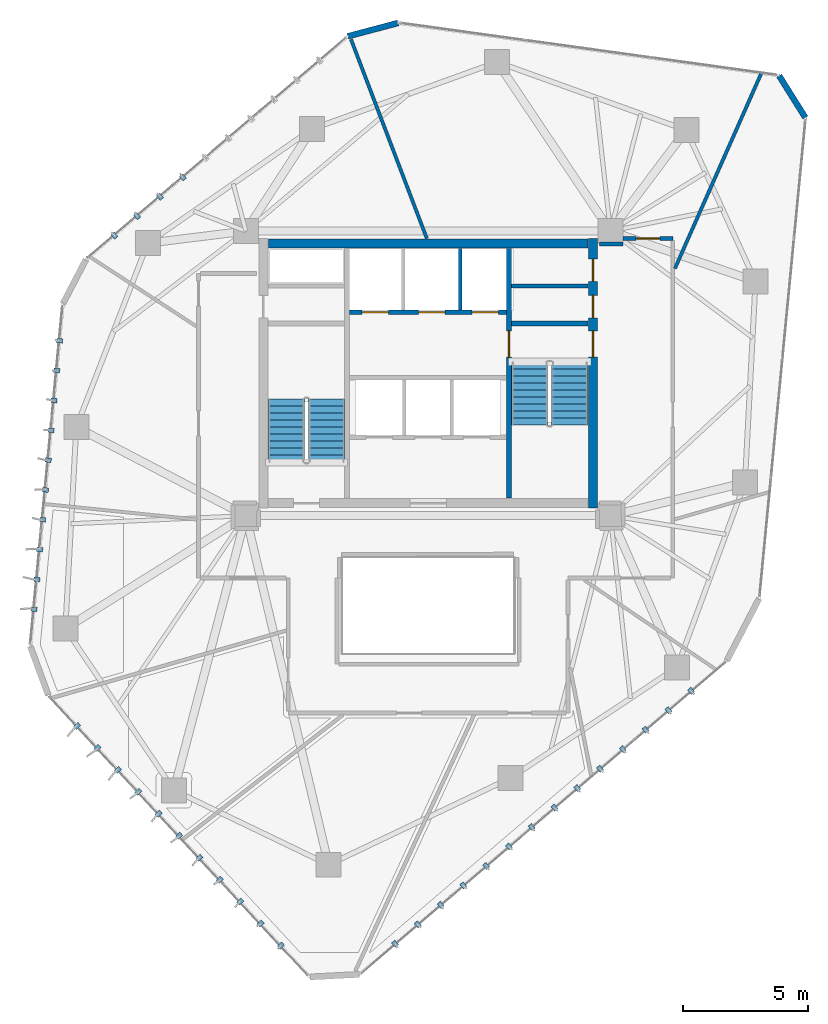
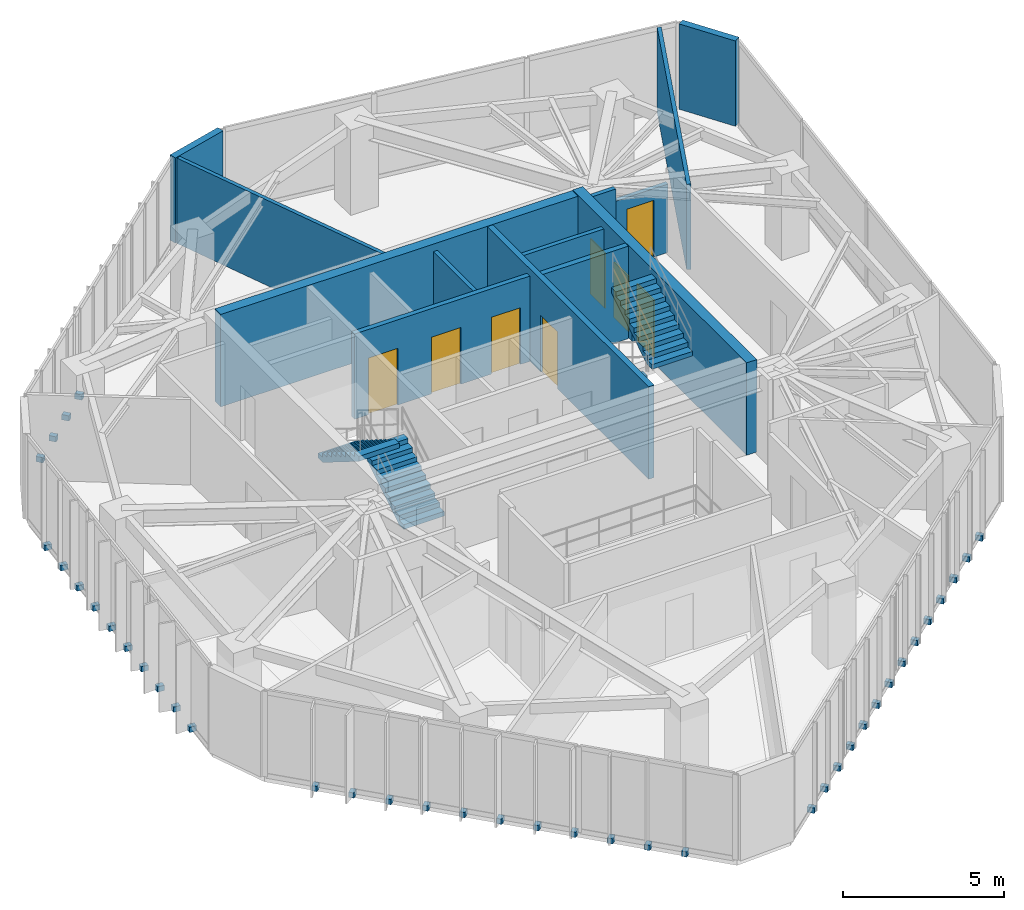
# One storey, part 18 of 21: 39 discrete accessories, 13 walls, 8 doors, 4 stair flights, 8 openings, 2 elements without a shape of their own.
"""IFC4 building model written with IfcOpenShell, lengths in metres."""

from ifc_helpers import new_model, si_unit, direction, frame, frame_2d, origin, origin_2d, place, context, subcontext, project, spatial, polyline, rectangle, outline, extrude, source, transform, mapped, material, layer, layer_set, type_object, type_shapes, element, fill, aggregate, save


model = new_model("IFC4")

# Units and contexts
model_context = context("Model", 3, precision=1e-05, world=origin(), true_north=direction((0.0, 1.0)))
body_context = subcontext(model_context, "Body", "Model", "MODEL_VIEW")
ifc_project = project(units=[si_unit("LENGTHUNIT", "METRE"), si_unit("AREAUNIT", "SQUARE_METRE"), si_unit("VOLUMEUNIT", "CUBIC_METRE"), si_unit("PLANEANGLEUNIT", "RADIAN"), si_unit("MASSUNIT", "GRAM", prefix="KILO")], contexts=[model_context])

# Site, building, storey
site_placement = place(None, origin())
site = spatial("IfcSite", under=ifc_project, at=site_placement, CompositionType="ELEMENT")
building_placement = place(site_placement, origin())
building = spatial("IfcBuilding", under=site, at=building_placement, Name="Talar Marvaseh", CompositionType="ELEMENT")
storey_placement = place(building_placement, frame((0.0, 0.0, 225.699951171875)))
storey = spatial("IfcBuildingStorey", under=building, at=storey_placement, Name="L59", CompositionType="ELEMENT", Elevation=225.699951171875)

# Walls
ifc_material_1 = material(Name="Precast concrete C45/55", Category="concrete")
ifc_layer_1 = layer(ifc_material_1, 0.239990234375)
ifc_layer_set_1 = layer_set([ifc_layer_1], Name="Precast concrete C45/55")
wall_type_1 = type_object("IfcWallType", Name="Chamfered Hexagonal Corner Pier Wall Z3 240", PredefinedType="SOLIDWALL", material=ifc_layer_set_1)
wall_1_placement = place(storey_placement, frame((22.782470703125, 44.70068359375, 0.0), z_axis=(0.0, 0.0, 1.0), x_axis=(0.966490564942, 0.256702138439, 0.0)))
element("IfcWall", 1, at=wall_1_placement, inside=storey, type_object=wall_type_1, Name="L59 Chamfered Corner Limestone Pier 4", PredefinedType="SOLIDWALL", context=body_context, shape_type="SweptSolid", body=[
    extrude(rectangle(XDim=2.088623046875, YDim=0.239990234375, at=frame_2d((1.04443359375, 0.0))), origin(), (0.0, 0.0, 1.0), 3.22998046875),
])
wall_2_placement = place(storey_placement, frame((40.0625, 43.11669921875, 0.0), z_axis=(0.0, 0.0, 1.0), x_axis=(0.531063761858, -0.847331859924, 0.0)))
element("IfcWall", 2, at=wall_2_placement, inside=storey, type_object=wall_type_1, Name="L59 Chamfered Corner Limestone Pier 5", PredefinedType="SOLIDWALL", context=body_context, shape_type="SweptSolid", body=[
    extrude(rectangle(XDim=1.977783203125, YDim=0.239990234375, at=frame_2d((0.98876953125, 0.0))), origin(), (0.0, 0.0, 1.0), 3.22998046875),
])
ifc_material_2 = material(Name="Gypsum Board Partition Assembly")
ifc_layer_2 = layer(ifc_material_2, 0.155029296875)
ifc_layer_set_2 = layer_set([ifc_layer_2], Name="Gypsum Board Partition Assembly")
wall_type_2 = type_object("IfcWallType", Name="Corridor Fire-Rated Acoustic Partition 155", PredefinedType="PARTITIONING", material=ifc_layer_set_2)
wall_3_placement = place(storey_placement, frame((29.340087890625, 34.699951171875, 0.0), z_axis=(0.0, 0.0, 1.0), x_axis=(1.0, 0.0, 0.0)))
element("IfcWall", 3, at=wall_3_placement, inside=storey, type_object=wall_type_2, Name="L59 Core BOH Partition", PredefinedType="PARTITIONING", context=body_context, shape_type="SweptSolid", body=[
    extrude(rectangle(XDim=3.059814453125, YDim=0.155029296875, at=frame_2d((1.52978515625, 0.0))), origin(), (0.0, 0.0, 1.0), 3.22998046875),
])

# Wall, opening, door
wall_4_placement = place(storey_placement, frame((33.81494140625, 36.60009765625, 0.0), z_axis=(0.0, 0.0, 1.0), x_axis=(1.0, 0.0, 0.0)))
wall_4 = element("IfcWall", 4, at=wall_4_placement, inside=storey, type_object=wall_type_2, Name="L59 Interior Partition Wall", PredefinedType="PARTITIONING", context=body_context, shape_type="SweptSolid", body=[
    extrude(rectangle(XDim=1.985107421875, YDim=0.155029296875, at=frame_2d((0.99267578125, 0.0))), origin(), (0.0, 0.0, 1.0), 2.589111328125),
])
opening_1_placement = place(wall_4_placement, frame((0.517578125, 0.0, 0.0)))
opening_1 = element("IfcOpeningElement", 5, at=opening_1_placement, cuts=wall_4, Name="Opening DR-WC095", PredefinedType="OPENING", context=body_context, shape_type="SweptSolid", body=[
    extrude(rectangle(XDim=0.949951171875, YDim=2.14990234375, at=frame_2d((0.47509765625, 1.074951171875))), frame((0.0, 0.08740234375, 0.0), z_axis=(0.0, -1.0, 0.0), x_axis=(1.0, 0.0, 0.0)), (0.0, 0.0, 1.0), 0.175048828125),
])
ifc_material_3 = material(Name="Acoustic Engineered Oak Timber", Category="wood")
door_type_1 = type_object("IfcDoorType", Name="Washroom and Service Room Door 950x2150", OperationType="NOTDEFINED", PredefinedType="DOOR", material=ifc_material_3)
shared_shape_1 = source(origin(), body_context, "Body", "SweptSolid", [
    extrude(rectangle(XDim=0.949951171875, YDim=2.14990234375, at=frame_2d((0.47509765625, 1.074951171875))), frame((0.0, 0.02490234375, 0.0), z_axis=(0.0, -1.0, 0.0), x_axis=(1.0, 0.0, 0.0)), (0.0, 0.0, 1.0), 0.050048828125),
])
type_shapes(door_type_1, [shared_shape_1])
door_1_placement = place(opening_1_placement, origin())
door_1 = element("IfcDoor", 6, at=door_1_placement, inside=storey, type_object=door_type_1, Name="L59 Manuscript Folio Archive Room Door", OperationType="SINGLE_SWING_RIGHT", OverallHeight=2.14990234375, OverallWidth=0.949951171875, PredefinedType="DOOR", context=body_context, shape_type="MappedRepresentation", body=[
    mapped(shared_shape_1, transform((0.0, 0.0, 0.0), x_axis=(1.0, 0.0, 0.0), y_axis=(0.0, 1.0, 0.0), z_axis=(0.0, 0.0, 1.0), scale=1.0)),
])
fill(opening_1, door_1)

# Walls
wall_5_placement = place(storey_placement, frame((32.8701171875, 36.385009765625, 0.0), z_axis=(0.0, 0.0, 1.0), x_axis=(0.999999965754, 0.000261711585, 0.0)))
element("IfcWall", 7, at=wall_5_placement, inside=storey, type_object=wall_type_2, Name="L59 Interior Partition Wall", PredefinedType="PARTITIONING", context=body_context, shape_type="SweptSolid", body=[
    extrude(rectangle(XDim=0.932861328125, YDim=0.155029296875, at=frame_2d((0.46630859375, 0.0))), origin(), (0.0, 0.0, 1.0), 3.22998046875),
])
ifc_layer_3 = layer(ifc_material_1, 0.14501953125)
ifc_layer_set_3 = layer_set([ifc_layer_3], Name="Precast concrete C45/55")
wall_type_3 = type_object("IfcWallType", Name="Fire-Rated Lift Divider Wall 145", PredefinedType="SOLIDWALL", material=ifc_layer_set_3)
wall_6_placement = place(storey_placement, frame((27.280029296875, 33.743408203125, 0.0), z_axis=(0.0, 0.0, 1.0), x_axis=(0.0, 1.0, 0.0)))
element("IfcWall", 8, at=wall_6_placement, inside=storey, type_object=wall_type_3, Name="L59 FFL-2/SVL-1 Divider", PredefinedType="SOLIDWALL", context=body_context, shape_type="SweptSolid", body=[
    extrude(rectangle(XDim=2.45654296875, YDim=0.14501953125, at=frame_2d((1.228271484375, 0.0))), origin(), (0.0, 0.0, 1.0), 3.22998046875),
])

# Wall, openings, doors
ifc_layer_4 = layer(ifc_material_1, 0.175048828125)
ifc_layer_set_4 = layer_set([ifc_layer_4], Name="Precast concrete C45/55")
wall_type_4 = type_object("IfcWallType", Name="Fire-Rated Lift Hoistway Enclosure Wall 175", PredefinedType="SOLIDWALL", material=ifc_layer_set_4)
wall_7_placement = place(storey_placement, frame((22.860107421875, 33.64990234375, 0.0), z_axis=(0.0, 0.0, 1.0), x_axis=(1.0, 0.0, 0.0)))
wall_7 = element("IfcWall", 9, at=wall_7_placement, inside=storey, type_object=wall_type_4, Name="L59 Firefighting and Service Lift Front Wall", PredefinedType="SOLIDWALL", context=body_context, shape_type="SweptSolid", body=[
    extrude(rectangle(XDim=6.27978515625, YDim=0.175048828125, at=frame_2d((3.139892578125, 0.0))), origin(), (0.0, 0.0, 1.0), 3.22998046875),
])
opening_2_placement = place(wall_7_placement, frame((0.5, 0.0, 0.0)))
opening_2 = element("IfcOpeningElement", 10, at=opening_2_placement, cuts=wall_7, Name="Opening LD-FF1", PredefinedType="OPENING", context=body_context, shape_type="SweptSolid", body=[
    extrude(rectangle(XDim=1.050048828125, YDim=2.14990234375, at=frame_2d((0.52490234375, 1.074951171875))), frame((0.0, 0.09765625, 0.0), z_axis=(0.0, -1.0, 0.0), x_axis=(1.0, 0.0, 0.0)), (0.0, 0.0, 1.0), 0.195068359375),
])
opening_3_placement = place(wall_7_placement, frame((2.760009765625, 0.0, 0.0)))
opening_3 = element("IfcOpeningElement", 11, at=opening_3_placement, cuts=wall_7, Name="Opening LD-FF2", PredefinedType="OPENING", context=body_context, shape_type="SweptSolid", body=[
    extrude(rectangle(XDim=1.050048828125, YDim=2.14990234375, at=frame_2d((0.52490234375, 1.074951171875))), frame((0.0, 0.09765625, 0.0), z_axis=(0.0, -1.0, 0.0), x_axis=(1.0, 0.0, 0.0)), (0.0, 0.0, 1.0), 0.195068359375),
])
opening_4_placement = place(wall_7_placement, frame((4.89990234375, 0.0, 0.0)))
opening_4 = element("IfcOpeningElement", 12, at=opening_4_placement, cuts=wall_7, Name="Opening LD-SV1", PredefinedType="OPENING", context=body_context, shape_type="SweptSolid", body=[
    extrude(rectangle(XDim=1.050048828125, YDim=2.14990234375, at=frame_2d((0.52490234375, 1.074951171875))), frame((0.0, 0.09765625, 0.0), z_axis=(0.0, -1.0, 0.0), x_axis=(1.0, 0.0, 0.0)), (0.0, 0.0, 1.0), 0.195068359375),
])
ifc_material_4 = material(Name="Stainless Steel Grade 316", Category="steel")
door_type_2 = type_object("IfcDoorType", Name="Automatic Sliding Lift Landing Door 1050x2150", OperationType="NOTDEFINED", PredefinedType="DOOR", material=ifc_material_4)
shared_shape_2 = source(origin(), body_context, "Body", "SweptSolid", [
    extrude(rectangle(XDim=1.050048828125, YDim=2.14990234375, at=frame_2d((0.52490234375, 1.074951171875))), frame((0.0, 0.02490234375, 0.0), z_axis=(0.0, -1.0, 0.0), x_axis=(1.0, 0.0, 0.0)), (0.0, 0.0, 1.0), 0.050048828125),
])
type_shapes(door_type_2, [shared_shape_2])
door_2_placement = place(opening_2_placement, origin())
door_2 = element("IfcDoor", 13, at=door_2_placement, inside=storey, type_object=door_type_2, Name="L59 Lift FFL-1 Sliding Landing Door", OperationType="SLIDING_TO_LEFT", OverallHeight=2.14990234375, OverallWidth=1.050048828125, PredefinedType="DOOR", context=body_context, shape_type="MappedRepresentation", body=[
    mapped(shared_shape_2, transform((0.0, 0.0, 0.0), x_axis=(1.0, 0.0, 0.0), y_axis=(0.0, 1.0, 0.0), z_axis=(0.0, 0.0, 1.0), scale=1.0)),
])
fill(opening_2, door_2)
door_3_placement = place(opening_3_placement, origin())
door_3 = element("IfcDoor", 14, at=door_3_placement, inside=storey, type_object=door_type_2, Name="L59 Lift FFL-2 Sliding Landing Door", OperationType="SLIDING_TO_LEFT", OverallHeight=2.14990234375, OverallWidth=1.050048828125, PredefinedType="DOOR", context=body_context, shape_type="MappedRepresentation", body=[
    mapped(shared_shape_2, transform((0.0, 0.0, 0.0), x_axis=(1.0, 0.0, 0.0), y_axis=(0.0, 1.0, 0.0), z_axis=(0.0, 0.0, 1.0), scale=1.0)),
])
fill(opening_3, door_3)
door_4_placement = place(opening_4_placement, origin())
door_4 = element("IfcDoor", 15, at=door_4_placement, inside=storey, type_object=door_type_2, Name="L59 Lift SVL-1 Sliding Landing Door", OperationType="SLIDING_TO_LEFT", OverallHeight=2.14990234375, OverallWidth=1.050048828125, PredefinedType="DOOR", context=body_context, shape_type="MappedRepresentation", body=[
    mapped(shared_shape_2, transform((0.0, 0.0, 0.0), x_axis=(1.0, 0.0, 0.0), y_axis=(0.0, 1.0, 0.0), z_axis=(0.0, 0.0, 1.0), scale=1.0)),
])
fill(opening_4, door_4)

# Walls
ifc_layer_5 = layer(ifc_material_2, 0.135009765625)
ifc_layer_set_5 = layer_set([ifc_layer_5], Name="Gypsum Board Partition Assembly")
wall_type_5 = type_object("IfcWallType", Name="Gallery High-Acoustic Partition 135", PredefinedType="PARTITIONING", material=ifc_layer_set_5)
wall_8_placement = place(storey_placement, frame((35.883544921875, 35.398681640625, 0.0), z_axis=(0.0, 0.0, 1.0), x_axis=(0.404725181863, 0.914438367068, 0.0)))
element("IfcWall", 16, at=wall_8_placement, inside=storey, type_object=wall_type_5, Name="L59 Interior Partition Wall", PredefinedType="PARTITIONING", context=body_context, shape_type="SweptSolid", body=[
    extrude(rectangle(XDim=8.5458984375, YDim=0.135009765625, at=frame_2d((4.27294921875, 0.0))), origin(), (0.0, 0.0, 1.0), 3.22998046875),
])
wall_9_placement = place(storey_placement, frame((25.949951171875, 36.60009765625, 0.0), z_axis=(0.0, 0.0, 1.0), x_axis=(-0.35589063498, 0.934527611114, 0.0)))
element("IfcWall", 17, at=wall_9_placement, inside=storey, type_object=wall_type_5, Name="L59 Interior Partition Wall", PredefinedType="PARTITIONING", context=body_context, shape_type="SweptSolid", body=[
    extrude(rectangle(XDim=8.533935546875, YDim=0.135009765625, at=frame_2d((4.26708984375, 0.0))), origin(), (0.0, 0.0, 1.0), 3.22998046875),
])

# Wall, opening, door
ifc_material_5 = material(Name="Concrete C50/60", Category="concrete")
ifc_layer_6 = layer(ifc_material_5, 0.199951171875)
ifc_layer_set_6 = layer_set([ifc_layer_6], Name="Concrete C50/60")
wall_type_6 = type_object("IfcWallType", Name="Stair Shaft Structural Concrete Shear Wall 200", PredefinedType="SHEAR", material=ifc_layer_set_6)
wall_10_placement = place(storey_placement, frame((29.239990234375, 26.199951171875, 0.0), z_axis=(0.0, 0.0, 1.0), x_axis=(0.0, 1.0, 0.0)))
wall_10 = element("IfcWall", 18, at=wall_10_placement, inside=storey, type_object=wall_type_6, Name="L59 Core East Stair Shear Wall", PredefinedType="SHEAR", context=body_context, shape_type="SweptSolid", body=[
    extrude(rectangle(XDim=10.0, YDim=0.199951171875, at=frame_2d((5.0, 0.0))), origin(), (0.0, 0.0, 1.0), 3.5),
])
opening_5_placement = place(wall_10_placement, frame((5.64990234375, 0.0, 0.0)))
opening_5 = element("IfcOpeningElement", 19, at=opening_5_placement, cuts=wall_10, Name="Opening DR-ST105", PredefinedType="OPENING", context=body_context, shape_type="SweptSolid", body=[
    extrude(rectangle(XDim=1.050048828125, YDim=2.14990234375, at=frame_2d((0.52490234375, 1.074951171875))), frame((0.0, 0.10986328125, 0.0), z_axis=(0.0, -1.0, 0.0), x_axis=(1.0, 0.0, 0.0)), (0.0, 0.0, 1.0), 0.219970703125),
])
ifc_material_6 = material(Name="Fire-Rated Steel Door Leaf", Category="steel")
door_type_3 = type_object("IfcDoorType", Name="Protected Exit Stair Fire Door 1050x2150", OperationType="NOTDEFINED", PredefinedType="DOOR", material=ifc_material_6)
shared_shape_3 = source(origin(), body_context, "Body", "SweptSolid", [
    extrude(rectangle(XDim=1.050048828125, YDim=2.14990234375, at=frame_2d((0.52490234375, 1.074951171875))), frame((0.0, 0.02490234375, 0.0), z_axis=(0.0, -1.0, 0.0), x_axis=(1.0, 0.0, 0.0)), (0.0, 0.0, 1.0), 0.050048828125),
])
type_shapes(door_type_3, [shared_shape_3])
door_5_placement = place(opening_5_placement, origin())
door_5 = element("IfcDoor", 20, at=door_5_placement, inside=storey, type_object=door_type_3, Name="L59 Firefighting Lobby to Stair ST-2 Door", OperationType="SINGLE_SWING_LEFT", OverallHeight=2.14990234375, OverallWidth=1.050048828125, PredefinedType="DOOR", context=body_context, shape_type="MappedRepresentation", body=[
    mapped(shared_shape_3, transform((0.0, 0.0, 0.0), x_axis=(1.0, 0.0, 0.0), y_axis=(0.0, 1.0, 0.0), z_axis=(0.0, 0.0, 1.0), scale=1.0)),
])
fill(opening_5, door_5)

# Wall
wall_11_placement = place(storey_placement, frame((29.340087890625, 33.199951171875, 0.0), z_axis=(0.0, 0.0, 1.0), x_axis=(1.0, 0.0, 0.0)))
element("IfcWall", 21, at=wall_11_placement, inside=storey, type_object=wall_type_6, Name="L59 Stair ST-2 North Shear Wall", PredefinedType="SHEAR", context=body_context, shape_type="SweptSolid", body=[
    extrude(rectangle(XDim=3.059814453125, YDim=0.199951171875, at=frame_2d((1.52978515625, 0.0))), origin(), (0.0, 0.0, 1.0), 3.5),
])

# Wall, openings, doors
ifc_layer_7 = layer(ifc_material_5, 0.360107421875)
ifc_layer_set_7 = layer_set([ifc_layer_7], Name="Concrete C50/60")
wall_type_7 = type_object("IfcWallType", Name="Upper Core Reinforced Concrete Shear Wall 360", PredefinedType="SHEAR", material=ifc_layer_set_7)
wall_12_placement = place(storey_placement, frame((32.60009765625, 36.60009765625, 0.0), z_axis=(0.0, 0.0, 1.0), x_axis=(0.0, -1.0, 0.0)))
wall_12 = element("IfcWall", 22, at=wall_12_placement, inside=storey, type_object=wall_type_7, Name="L59 East Core Shear Wall", PredefinedType="SHEAR", context=body_context, shape_type="SweptSolid", body=[
    extrude(rectangle(XDim=10.800048828125, YDim=0.360107421875, at=frame_2d((5.39990234375, 0.0))), origin(), (0.0, 0.0, 1.0), 3.5),
])
opening_6_placement = place(wall_12_placement, frame((3.699951171875, 0.0, 0.0)))
opening_6 = element("IfcOpeningElement", 23, at=opening_6_placement, cuts=wall_12, Name="Opening DR-ST105", PredefinedType="OPENING", context=body_context, shape_type="SweptSolid", body=[
    extrude(rectangle(XDim=1.050048828125, YDim=2.14990234375, at=frame_2d((0.52490234375, 1.074951171875))), frame((0.0, 0.18994140625, 0.0), z_axis=(0.0, -1.0, 0.0), x_axis=(1.0, 0.0, 0.0)), (0.0, 0.0, 1.0), 0.380126953125),
])
opening_7_placement = place(wall_12_placement, frame((2.280029296875, 0.0, 0.0)))
opening_7 = element("IfcOpeningElement", 24, at=opening_7_placement, cuts=wall_12, Name="Opening DR-BOH090", PredefinedType="OPENING", context=body_context, shape_type="SweptSolid", body=[
    extrude(rectangle(XDim=0.89990234375, YDim=2.10009765625, at=frame_2d((0.449951171875, 1.050048828125))), frame((0.0, 0.18994140625, 0.0), z_axis=(0.0, -1.0, 0.0), x_axis=(1.0, 0.0, 0.0)), (0.0, 0.0, 1.0), 0.380126953125),
])
opening_8_placement = place(wall_12_placement, frame((0.820068359375, 0.0, 0.0)))
opening_8 = element("IfcOpeningElement", 25, at=opening_8_placement, cuts=wall_12, Name="Opening DR-BOH090", PredefinedType="OPENING", context=body_context, shape_type="SweptSolid", body=[
    extrude(rectangle(XDim=0.89990234375, YDim=2.10009765625, at=frame_2d((0.449951171875, 1.050048828125))), frame((0.0, 0.18994140625, 0.0), z_axis=(0.0, -1.0, 0.0), x_axis=(1.0, 0.0, 0.0)), (0.0, 0.0, 1.0), 0.380126953125),
])
door_6_placement = place(opening_6_placement, origin())
door_6 = element("IfcDoor", 26, at=door_6_placement, inside=storey, type_object=door_type_3, Name="L59 Stair ST-2 Corridor Exit Door", OperationType="SINGLE_SWING_LEFT", OverallHeight=2.14990234375, OverallWidth=1.050048828125, PredefinedType="DOOR", context=body_context, shape_type="MappedRepresentation", body=[
    mapped(shared_shape_3, transform((0.0, 0.0, 0.0), x_axis=(1.0, 0.0, 0.0), y_axis=(0.0, 1.0, 0.0), z_axis=(0.0, 0.0, 1.0), scale=1.0)),
])
fill(opening_6, door_6)
door_type_4 = type_object("IfcDoorType", Name="Core Back-of-House Service Door 900x2100", OperationType="NOTDEFINED", PredefinedType="DOOR", material=ifc_material_6)
shared_shape_4 = source(origin(), body_context, "Body", "SweptSolid", [
    extrude(rectangle(XDim=0.89990234375, YDim=2.10009765625, at=frame_2d((0.449951171875, 1.050048828125))), frame((0.0, 0.02490234375, 0.0), z_axis=(0.0, -1.0, 0.0), x_axis=(1.0, 0.0, 0.0)), (0.0, 0.0, 1.0), 0.050048828125),
])
type_shapes(door_type_4, [shared_shape_4])
door_7_placement = place(opening_7_placement, origin())
door_7 = element("IfcDoor", 27, at=door_7_placement, inside=storey, type_object=door_type_4, Name="L59 Cleaner Core East Closet Door", OperationType="SINGLE_SWING_LEFT", OverallHeight=2.10009765625, OverallWidth=0.89990234375, PredefinedType="DOOR", context=body_context, shape_type="MappedRepresentation", body=[
    mapped(shared_shape_4, transform((0.0, 0.0, 0.0), x_axis=(1.0, 0.0, 0.0), y_axis=(0.0, 1.0, 0.0), z_axis=(0.0, 0.0, 1.0), scale=1.0)),
])
fill(opening_7, door_7)
door_8_placement = place(opening_8_placement, origin())
door_8 = element("IfcDoor", 28, at=door_8_placement, inside=storey, type_object=door_type_4, Name="L59 Store Core Supplies Room Door", OperationType="SINGLE_SWING_RIGHT", OverallHeight=2.10009765625, OverallWidth=0.89990234375, PredefinedType="DOOR", context=body_context, shape_type="MappedRepresentation", body=[
    mapped(shared_shape_4, transform((0.0, 0.0, 0.0), x_axis=(1.0, 0.0, 0.0), y_axis=(0.0, 1.0, 0.0), z_axis=(0.0, 0.0, 1.0), scale=1.0)),
])
fill(opening_8, door_8)

# Wall
wall_13_placement = place(storey_placement, frame((19.60009765625, 36.39990234375, 0.0), z_axis=(0.0, 0.0, 1.0), x_axis=(1.0, 0.0, 0.0)))
element("IfcWall", 29, at=wall_13_placement, inside=storey, type_object=wall_type_7, Name="L59 North Core Shear Wall", PredefinedType="SHEAR", context=body_context, shape_type="SweptSolid", body=[
    extrude(rectangle(XDim=12.7998046875, YDim=0.360107421875, at=frame_2d((6.39990234375, 0.0))), origin(), (0.0, 0.0, 1.0), 3.5),
])

# Stair, stair flights
ifc_material_7 = material(Name="Concrete C40/50", Category="concrete")
stair_type = type_object("IfcStairType", Name="Reinforced Concrete High-Rise Exit Stair Type C", PredefinedType="HALF_TURN_STAIR", material=ifc_material_7)
stair_1_placement = place(storey_placement, origin())
stair_1 = element("IfcStair", 30, at=stair_1_placement, inside=storey, type_object=stair_type, Name="L59 Tower West Core Exit Stair", PredefinedType="HALF_TURN_STAIR")
ifc_layer_8 = layer(ifc_material_7, 0.159912109375)
ifc_layer_set_8 = layer_set([ifc_layer_8], Name="Concrete C40/50")
stair_flight_type = type_object("IfcStairFlightType", Name="Reinforced Concrete Straight Stair Flight 160", PredefinedType="STRAIGHT", material=ifc_layer_set_8)
stair_flight_1_placement = place(storey_placement, frame((21.93505859375, 27.64990234375, 0.0), z_axis=(0.0, 0.0, 1.0), x_axis=(0.0, 1.0, 0.0)))
stair_flight_1 = element("IfcStairFlight", 31, at=stair_flight_1_placement, type_object=stair_flight_type, Name="ST-1 flight 1", NumberOfRisers=10, NumberOfTreads=9, PredefinedType="STRAIGHT", RiserHeight=0.175, TreadLength=0.28, context=body_context, shape_type="SweptSolid", body=[
    extrude(outline(polyline([(0.0, 0.0), (0.0, 0.175048828125), (0.280029296875, 0.175048828125), (0.280029296875, 0.35009765625), (0.56005859375, 0.35009765625), (0.56005859375, 0.52490234375), (0.840087890625, 0.52490234375), (0.840087890625, 0.699951171875), (1.1201171875, 0.699951171875), (1.1201171875, 0.875), (1.39990234375, 0.875), (1.39990234375, 1.050048828125), (1.679931640625, 1.050048828125), (1.679931640625, 1.22509765625), (1.9599609375, 1.22509765625), (1.9599609375, 1.39990234375), (2.239990234375, 1.39990234375), (2.239990234375, 1.574951171875), (2.52001953125, 1.574951171875), (2.52001953125, 1.75), (2.52001953125, 1.386474609375), (0.3017578125, 0.0), (0.0, 0.0)])), frame((0.0, 0.72509765625, 0.0), z_axis=(0.0, -1.0, 0.0), x_axis=(1.0, 0.0, 0.0)), (0.0, 0.0, 1.0), 1.449951171875),
])
stair_flight_2_placement = place(storey_placement, frame((20.324951171875, 30.169921875, 1.75), z_axis=(0.0, 0.0, 1.0), x_axis=(0.0, -1.0, 0.0)))
stair_flight_2 = element("IfcStairFlight", 32, at=stair_flight_2_placement, type_object=stair_flight_type, Name="ST-1 flight 2", NumberOfRisers=10, NumberOfTreads=9, PredefinedType="STRAIGHT", RiserHeight=0.175, TreadLength=0.28, context=body_context, shape_type="SweptSolid", body=[
    extrude(outline(polyline([(0.0, 0.0), (0.0, 0.175048828125), (0.280029296875, 0.175048828125), (0.280029296875, 0.35009765625), (0.56005859375, 0.35009765625), (0.56005859375, 0.52490234375), (0.840087890625, 0.52490234375), (0.840087890625, 0.699951171875), (1.1201171875, 0.699951171875), (1.1201171875, 0.875), (1.39990234375, 0.875), (1.39990234375, 1.050048828125), (1.679931640625, 1.050048828125), (1.679931640625, 1.22509765625), (1.9599609375, 1.22509765625), (1.9599609375, 1.39990234375), (2.239990234375, 1.39990234375), (2.239990234375, 1.574951171875), (2.52001953125, 1.574951171875), (2.52001953125, 1.75), (2.52001953125, 1.386474609375), (0.3017578125, 0.0), (0.0, 0.0)])), frame((0.0, 0.72509765625, 0.0), z_axis=(0.0, -1.0, 0.0), x_axis=(1.0, 0.0, 0.0)), (0.0, 0.0, 1.0), 1.449951171875),
])
aggregate(stair_1, [stair_flight_1, stair_flight_2])

stair_2_placement = place(storey_placement, origin())
stair_2 = element("IfcStair", 33, at=stair_2_placement, inside=storey, type_object=stair_type, Name="L59 Tower East Core Exit Stair", PredefinedType="HALF_TURN_STAIR")
stair_flight_3_placement = place(storey_placement, frame((30.06494140625, 31.64990234375, 0.0), z_axis=(0.0, 0.0, 1.0), x_axis=(0.0, -1.0, 0.0)))
stair_flight_3 = element("IfcStairFlight", 34, at=stair_flight_3_placement, type_object=stair_flight_type, Name="ST-2 flight 1", NumberOfRisers=10, NumberOfTreads=9, PredefinedType="STRAIGHT", RiserHeight=0.175, TreadLength=0.28, context=body_context, shape_type="SweptSolid", body=[
    extrude(outline(polyline([(0.0, 0.0), (0.0, 0.175048828125), (0.280029296875, 0.175048828125), (0.280029296875, 0.35009765625), (0.56005859375, 0.35009765625), (0.56005859375, 0.52490234375), (0.840087890625, 0.52490234375), (0.840087890625, 0.699951171875), (1.1201171875, 0.699951171875), (1.1201171875, 0.875), (1.39990234375, 0.875), (1.39990234375, 1.050048828125), (1.679931640625, 1.050048828125), (1.679931640625, 1.22509765625), (1.9599609375, 1.22509765625), (1.9599609375, 1.39990234375), (2.239990234375, 1.39990234375), (2.239990234375, 1.574951171875), (2.52001953125, 1.574951171875), (2.52001953125, 1.75), (2.52001953125, 1.386474609375), (0.3017578125, 0.0), (0.0, 0.0)])), frame((0.0, 0.72509765625, 0.0), z_axis=(0.0, -1.0, 0.0), x_axis=(1.0, 0.0, 0.0)), (0.0, 0.0, 1.0), 1.449951171875),
])
stair_flight_4_placement = place(storey_placement, frame((31.675048828125, 29.1298828125, 1.75), z_axis=(0.0, 0.0, 1.0), x_axis=(0.0, 1.0, 0.0)))
stair_flight_4 = element("IfcStairFlight", 35, at=stair_flight_4_placement, type_object=stair_flight_type, Name="ST-2 flight 2", NumberOfRisers=10, NumberOfTreads=9, PredefinedType="STRAIGHT", RiserHeight=0.175, TreadLength=0.28, context=body_context, shape_type="SweptSolid", body=[
    extrude(outline(polyline([(0.0, 0.0), (0.0, 0.175048828125), (0.280029296875, 0.175048828125), (0.280029296875, 0.35009765625), (0.56005859375, 0.35009765625), (0.56005859375, 0.52490234375), (0.840087890625, 0.52490234375), (0.840087890625, 0.699951171875), (1.1201171875, 0.699951171875), (1.1201171875, 0.875), (1.39990234375, 0.875), (1.39990234375, 1.050048828125), (1.679931640625, 1.050048828125), (1.679931640625, 1.22509765625), (1.9599609375, 1.22509765625), (1.9599609375, 1.39990234375), (2.239990234375, 1.39990234375), (2.239990234375, 1.574951171875), (2.52001953125, 1.574951171875), (2.52001953125, 1.75), (2.52001953125, 1.386474609375), (0.3017578125, 0.0), (0.0, 0.0)])), frame((0.0, 0.72509765625, 0.0), z_axis=(0.0, -1.0, 0.0), x_axis=(1.0, 0.0, 0.0)), (0.0, 0.0, 1.0), 1.449951171875),
])
aggregate(stair_2, [stair_flight_3, stair_flight_4])

# Discrete accessories
discrete_accessory_type = type_object("IfcDiscreteAccessoryType", Name="Stainless Slab-Edge Fin Mounting Bracket", PredefinedType="BRACKET", material=ifc_material_4)
shared_shape_5 = source(origin(), body_context, "Body", "SweptSolid", [
    extrude(rectangle(XDim=0.239990234375, YDim=0.179931640625, at=origin_2d()), origin(), (0.0, 0.0, 1.0), 0.199951171875),
])
type_shapes(discrete_accessory_type, [shared_shape_5])
for number, where, z_axis, x_axis, name in (
    (36, (20.105712890625, 8.27978515625, -0.1796875), (0.0, 0.0, 1.0), (-0.733136660803, -0.680081345566, 0.0), "L59 Vertical Fin Slab-Edge Bracket"),
    (37, (19.289794921875, 9.15966796875, -0.1796875), (0.0, 0.0, 1.0), (-0.733136660803, -0.680081345566, 0.0), "L59 Vertical Fin Slab-Edge Bracket"),
    (38, (18.4736328125, 10.03955078125, -0.1796875), (0.0, 0.0, 1.0), (-0.733136660803, -0.680081345566, 0.0), "L59 Vertical Fin Slab-Edge Bracket"),
    (39, (17.65771484375, 10.919189453125, -0.1796875), (0.0, 0.0, 1.0), (-0.733136660803, -0.680081345566, 0.0), "L59 Vertical Fin Slab-Edge Bracket"),
    (40, (16.841552734375, 11.799072265625, -0.1796875), (0.0, 0.0, 1.0), (-0.733136660803, -0.680081345566, 0.0), "L59 Vertical Fin Slab-Edge Bracket"),
    (41, (16.025634765625, 12.678955078125, -0.1796875), (0.0, 0.0, 1.0), (-0.733136660803, -0.680081345566, 0.0), "L59 Vertical Fin Slab-Edge Bracket"),
    (42, (15.20947265625, 13.558837890625, -0.1796875), (0.0, 0.0, 1.0), (-0.733136660803, -0.680081345566, 0.0), "L59 Vertical Fin Slab-Edge Bracket"),
    (43, (14.3935546875, 14.438720703125, -0.1796875), (0.0, 0.0, 1.0), (-0.733136660803, -0.680081345566, 0.0), "L59 Vertical Fin Slab-Edge Bracket"),
    (44, (13.577392578125, 15.318359375, -0.1796875), (0.0, 0.0, 1.0), (-0.733136660803, -0.680081345566, 0.0), "L59 Vertical Fin Slab-Edge Bracket"),
    (45, (12.761474609375, 16.1982421875, -0.1796875), (0.0, 0.0, 1.0), (-0.733136660803, -0.680081345566, 0.0), "L59 Vertical Fin Slab-Edge Bracket"),
    (46, (11.9453125, 17.077880859375, -0.1796875), (0.0, 0.0, 1.0), (-0.733136660803, -0.680081345566, 0.0), "L59 Vertical Fin Slab-Edge Bracket"),
    (47, (10.2197265625, 21.75341796875, -0.1796875), (0.0, 0.0, 1.0), (-0.995512553138, 0.09462957542, 0.0), "L59 Vertical Fin Slab-Edge Bracket"),
    (48, (10.333251953125, 22.947998046875, -0.1796875), (0.0, 0.0, 1.0), (-0.995512553138, 0.09462957542, 0.0), "L59 Vertical Fin Slab-Edge Bracket"),
    (49, (10.447021484375, 24.142578125, -0.1796875), (0.0, 0.0, 1.0), (-0.995512553138, 0.09462957542, 0.0), "L59 Vertical Fin Slab-Edge Bracket"),
    (50, (10.560546875, 25.337158203125, -0.1796875), (0.0, 0.0, 1.0), (-0.995512553138, 0.09462957542, 0.0), "L59 Vertical Fin Slab-Edge Bracket"),
    (51, (10.674072265625, 26.53173828125, -0.1796875), (0.0, 0.0, 1.0), (-0.995512553138, 0.09462957542, 0.0), "L59 Vertical Fin Slab-Edge Bracket"),
    (52, (10.78759765625, 27.726318359375, -0.1796875), (0.0, 0.0, 1.0), (-0.995512553138, 0.09462957542, 0.0), "L59 Vertical Fin Slab-Edge Bracket"),
    (53, (10.9013671875, 28.921142578125, -0.1796875), (0.0, 0.0, 1.0), (-0.995512553138, 0.09462957542, 0.0), "L59 Vertical Fin Slab-Edge Bracket"),
    (54, (11.014892578125, 30.11572265625, -0.1796875), (0.0, 0.0, 1.0), (-0.995512553138, 0.09462957542, 0.0), "L59 Vertical Fin Slab-Edge Bracket"),
    (55, (11.12841796875, 31.310302734375, -0.1796875), (0.0, 0.0, 1.0), (-0.995512553138, 0.09462957542, 0.0), "L59 Vertical Fin Slab-Edge Bracket"),
    (56, (11.2421875, 32.5048828125, -0.1796875), (0.0, 0.0, 1.0), (-0.995512553138, 0.09462957542, 0.0), "L59 Vertical Fin Slab-Edge Bracket"),
    (57, (13.435302734375, 36.71826171875, -0.1796875), (0.0, 0.0, 1.0), (-0.648518552727, 0.761198848376, 0.0), "L59 Vertical Fin Slab-Edge Bracket"),
    (58, (14.348876953125, 37.49658203125, -0.1796875), (0.0, 0.0, 1.0), (-0.648518552727, 0.761198848376, 0.0), "L59 Vertical Fin Slab-Edge Bracket"),
    (59, (15.26220703125, 38.27490234375, -0.1796875), (0.0, 0.0, 1.0), (-0.648518552727, 0.761198848376, 0.0), "L59 Vertical Fin Slab-Edge Bracket"),
    (60, (16.175537109375, 39.052978515625, -0.1796875), (0.0, 0.0, 1.0), (-0.648518552727, 0.761198848376, 0.0), "L59 Vertical Fin Slab-Edge Bracket"),
    (61, (36.534423828125, 18.484619140625, -0.1796875), (0.0, 0.0, 1.0), (0.649580754315, -0.760292603951, 0.0), "L59 Vertical Fin Slab-Edge Bracket"),
    (62, (35.6220703125, 17.705078125, -0.1796875), (0.0, 0.0, 1.0), (0.649580754315, -0.760292603951, 0.0), "L59 Vertical Fin Slab-Edge Bracket"),
    (63, (34.709716796875, 16.92578125, -0.1796875), (0.0, 0.0, 1.0), (0.649580754315, -0.760292603951, 0.0), "L59 Vertical Fin Slab-Edge Bracket"),
    (64, (33.79736328125, 16.146240234375, -0.1796875), (0.0, 0.0, 1.0), (0.649580754315, -0.760292603951, 0.0), "L59 Vertical Fin Slab-Edge Bracket"),
    (65, (32.885009765625, 15.36669921875, -0.1796875), (0.0, 0.0, 1.0), (0.649580754315, -0.760292603951, 0.0), "L59 Vertical Fin Slab-Edge Bracket"),
    (66, (31.97265625, 14.58740234375, -0.1796875), (0.0, 0.0, 1.0), (0.649580754315, -0.760292603951, 0.0), "L59 Vertical Fin Slab-Edge Bracket"),
    (67, (31.060302734375, 13.807861328125, -0.1796875), (0.0, 0.0, 1.0), (0.649580754315, -0.760292603951, 0.0), "L59 Vertical Fin Slab-Edge Bracket"),
    (68, (30.147705078125, 13.0283203125, -0.1796875), (0.0, 0.0, 1.0), (0.649580754315, -0.760292603951, 0.0), "L59 Vertical Fin Slab-Edge Bracket"),
    (69, (29.235595703125, 12.248779296875, -0.1796875), (0.0, 0.0, 1.0), (0.649580754315, -0.760292603951, 0.0), "L59 Vertical Fin Slab-Edge Bracket"),
    (70, (28.322998046875, 11.46923828125, -0.1796875), (0.0, 0.0, 1.0), (0.649580754315, -0.760292603951, 0.0), "L59 Vertical Fin Slab-Edge Bracket"),
    (71, (27.41064453125, 10.68994140625, -0.1796875), (0.0, 0.0, 1.0), (0.649580754315, -0.760292603951, 0.0), "L59 Vertical Fin Slab-Edge Bracket"),
    (72, (26.498291015625, 9.910400390625, -0.1796875), (0.0, 0.0, 1.0), (0.649580754315, -0.760292603951, 0.0), "L59 Vertical Fin Slab-Edge Bracket"),
    (73, (25.5859375, 9.130859375, -0.1796875), (0.0, 0.0, 1.0), (0.649580754315, -0.760292603951, 0.0), "L59 Vertical Fin Slab-Edge Bracket"),
    (74, (24.673583984375, 8.351318359375, -0.1796875), (0.0, 0.0, 1.0), (0.649580754315, -0.760292603951, 0.0), "L59 Vertical Fin Slab-Edge Bracket"),
):
    element("IfcDiscreteAccessory", number, at=place(storey_placement, frame(where, z_axis=z_axis, x_axis=x_axis)), inside=storey, type_object=discrete_accessory_type, Name=name, PredefinedType="BRACKET", context=body_context, shape_type="MappedRepresentation", body=[
        mapped(shared_shape_5, transform((0.0, 0.0, 0.0), x_axis=(1.0, 0.0, 0.0), y_axis=(0.0, 1.0, 0.0), z_axis=(0.0, 0.0, 1.0), scale=1.0)),
    ])

save(model, "model.ifc")
